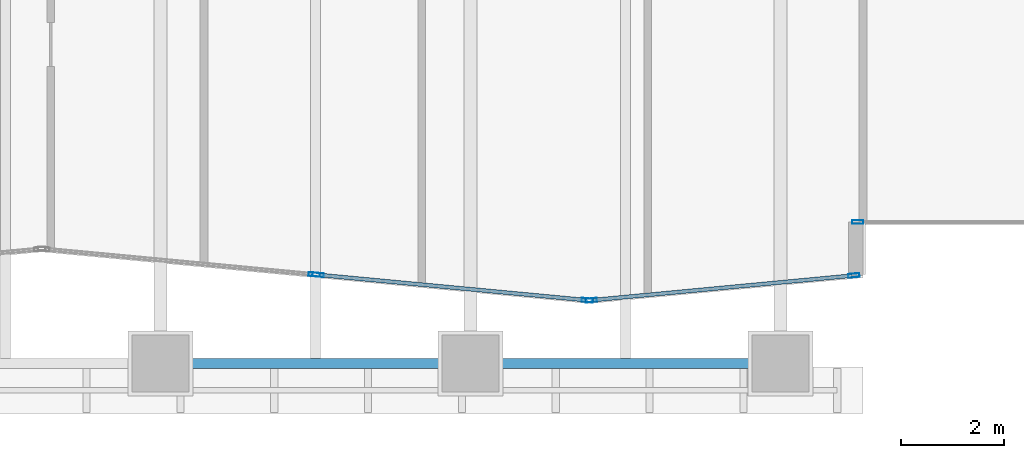
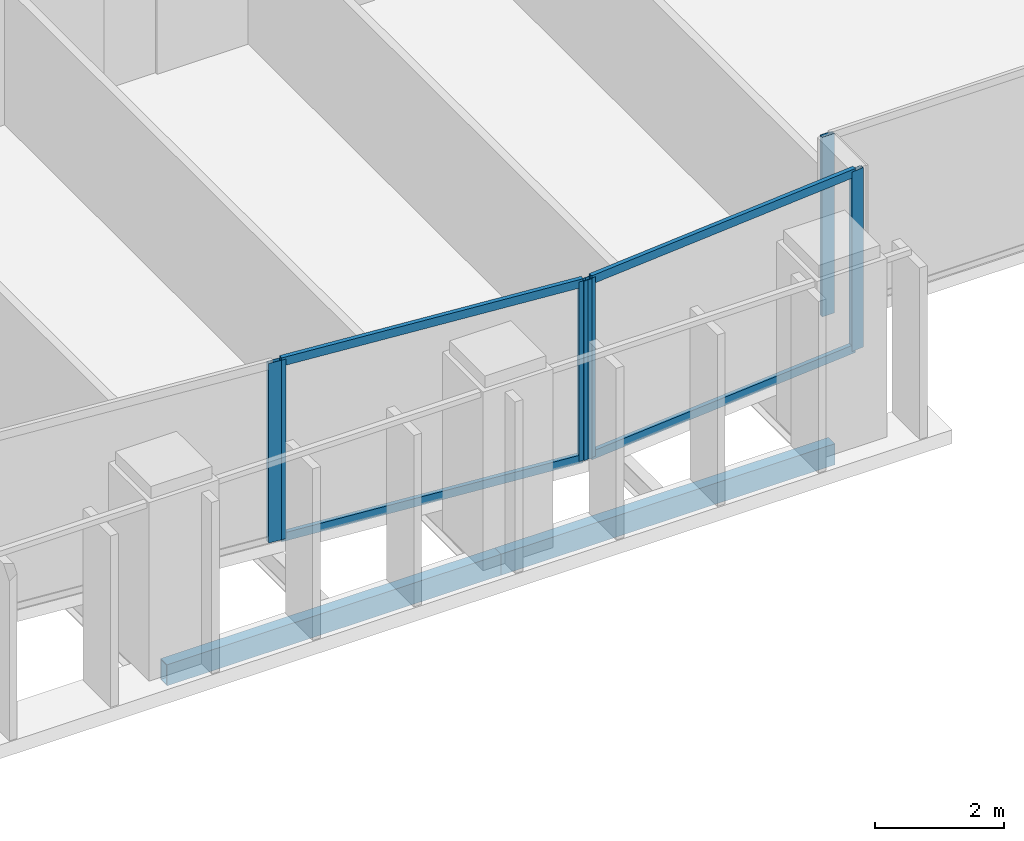
# One storey, part 3 of 32: 10 members, 2 beams, 4 elements without a shape of their own.
"""IFC4 building model written with IfcOpenShell, lengths in metres."""

from ifc_helpers import new_model, si_unit, direction, frame, origin, origin_2d, place, context, subcontext, project, spatial, hollow_rectangle, extrude, material, layer, layer_set, material_profile, profile_set, type_object, element, aggregate, save


model = new_model("IFC4")

# Units and contexts
model_context = context("Model", 3, precision=1e-05, world=origin(), true_north=direction((0.0, 1.0)))
body_context = subcontext(model_context, "Body", "Model", "MODEL_VIEW")
ifc_project = project(units=[si_unit("LENGTHUNIT", "METRE"), si_unit("AREAUNIT", "SQUARE_METRE"), si_unit("VOLUMEUNIT", "CUBIC_METRE"), si_unit("PLANEANGLEUNIT", "RADIAN"), si_unit("MASSUNIT", "GRAM", prefix="KILO")], contexts=[model_context])

# Site, building, storey
site_placement = place(None, origin())
site = spatial("IfcSite", under=ifc_project, at=site_placement, CompositionType="ELEMENT")
building_placement = place(site_placement, origin())
building = spatial("IfcBuilding", under=site, at=building_placement, Name="Tanjung Sevakor Pilgrim Tower", CompositionType="ELEMENT")
storey_placement = place(building_placement, frame((0.0, 0.0, 62.3701171875)))
storey = spatial("IfcBuildingStorey", under=building, at=storey_placement, Name="L17", CompositionType="ELEMENT", Elevation=62.3701171875)

# Beams
ifc_material_1 = material(Name="Steel S355J2", Category="steel")
ifc_material_profile_1 = material_profile(ifc_material_1, hollow_rectangle(XDim=0.199951171875, YDim=0.39990234375, WallThickness=0.01611328125, at=origin_2d()))
ifc_profile_set_1 = profile_set([ifc_material_profile_1], Name="Steel S355J2")
beam_type = type_object("IfcBeamType", Name="BM-B-SP2-RHS_400x200x16", PredefinedType="SPANDREL", material=ifc_profile_set_1)
for number, where, z_axis, x_axis, name in (
    (1, (30.0, 8.39990234375, -0.420166015625), (1.0, 0.0, 0.0), (0.0, 1.0, 0.0), "L17 Spandrel MAIN S-03"),
    (2, (36.0, 8.39990234375, -0.420166015625), (1.0, 0.0, 0.0), (0.0, 1.0, 0.0), "L17 Spandrel MAIN S-05"),
):
    element("IfcBeam", number, at=place(storey_placement, frame(where, z_axis=z_axis, x_axis=x_axis)), inside=storey, type_object=beam_type, Name=name, PredefinedType="SPANDREL", context=body_context, shape_type="SweptSolid", body=[
        extrude(hollow_rectangle(XDim=0.199951171875, YDim=0.39990234375, WallThickness=0.01611328125, at=origin_2d()), origin(), (0.0, 0.0, 1.0), 6.0),
    ])

# Curtain wall, member
ifc_material_2 = material(Name="Aluminium 6063-T6 and Low-E Glass", Category="aluminium")
ifc_layer_1 = layer(ifc_material_2, 0.199951171875)
ifc_layer_set_1 = layer_set([ifc_layer_1], Name="CW-SYS-PRAY")
curtain_wall_type_1 = type_object("IfcCurtainWallType", Name="CW-SYS-PRAY", PredefinedType="NOTDEFINED", material=ifc_layer_set_1)
curtain_wall_1_placement = place(storey_placement, origin())
curtain_wall_1 = element("IfcCurtainWall", 3, at=curtain_wall_1_placement, inside=storey, type_object=curtain_wall_type_1, Name="L17 Curtain Wall CW-PRY-L17-3", PredefinedType="NOTDEFINED")
ifc_material_3 = material(Name="Aluminium 6063-T6", Category="aluminium")
ifc_material_profile_2 = material_profile(ifc_material_3, hollow_rectangle(XDim=0.074951171875, YDim=0.219970703125, WallThickness=0.0048828125, at=origin_2d()))
ifc_profile_set_2 = profile_set([ifc_material_profile_2], Name="Aluminium 6063-T6")
member_type_1 = type_object("IfcMemberType", Name="TYPE-CWM-2", PredefinedType="MULLION", material=ifc_profile_set_2)
member_1_placement = place(storey_placement, frame((32.975830078125, 10.122802734375, 0.0), z_axis=(0.0, 0.0, 1.0), x_axis=(0.09391593637, 0.995580130826, 0.0)))
member_1 = element("IfcMember", 4, at=member_1_placement, type_object=member_type_1, Name="CW-PRY mullion 2", PredefinedType="MULLION", context=body_context, shape_type="SweptSolid", body=[
    extrude(hollow_rectangle(XDim=0.074951171875, YDim=0.219970703125, WallThickness=0.0048828125, at=origin_2d()), origin(), (0.0, 0.0, 1.0), 3.409912109375),
])
aggregate(curtain_wall_1, [member_1])

# Curtain wall, members
curtain_wall_2_placement = place(storey_placement, origin())
curtain_wall_2 = element("IfcCurtainWall", 5, at=curtain_wall_2_placement, inside=storey, type_object=curtain_wall_type_1, Name="L17 Curtain Wall CW-PRY-L17-4", PredefinedType="NOTDEFINED")
member_2_placement = place(storey_placement, frame((33.050537109375, 10.115966796875, 0.0), z_axis=(0.0, 0.0, 1.0), x_axis=(0.093929285798, 0.995578871446, 0.0)))
member_2 = element("IfcMember", 6, at=member_2_placement, type_object=member_type_1, Name="CW-PRY mullion 1", PredefinedType="MULLION", context=body_context, shape_type="SweptSolid", body=[
    extrude(hollow_rectangle(XDim=0.074951171875, YDim=0.219970703125, WallThickness=0.0048828125, at=origin_2d()), origin(), (0.0, 0.0, 1.0), 3.409912109375),
])
member_3_placement = place(storey_placement, frame((38.2626953125, 9.6240234375, 0.0), z_axis=(0.0, 0.0, 1.0), x_axis=(0.093929285798, 0.995578871446, 0.0)))
member_3 = element("IfcMember", 7, at=member_3_placement, type_object=member_type_1, Name="CW-PRY mullion 2", PredefinedType="MULLION", context=body_context, shape_type="SweptSolid", body=[
    extrude(hollow_rectangle(XDim=0.074951171875, YDim=0.219970703125, WallThickness=0.0048828125, at=origin_2d()), origin(), (0.0, 0.0, 1.0), 3.409912109375),
])

curtain_wall_3_placement = place(storey_placement, origin())
curtain_wall_3 = element("IfcCurtainWall", 8, at=curtain_wall_3_placement, inside=storey, type_object=curtain_wall_type_1, Name="L17 Curtain Wall CW-PRY-L17-5", PredefinedType="NOTDEFINED")
member_4_placement = place(storey_placement, frame((38.33740234375, 9.6240234375, 0.0), z_axis=(0.0, 0.0, 1.0), x_axis=(-0.09392403791, 0.995579366551, 0.0)))
member_4 = element("IfcMember", 9, at=member_4_placement, type_object=member_type_1, Name="CW-PRY mullion 1", PredefinedType="MULLION", context=body_context, shape_type="SweptSolid", body=[
    extrude(hollow_rectangle(XDim=0.074951171875, YDim=0.219970703125, WallThickness=0.0048828125, at=origin_2d()), origin(), (0.0, 0.0, 1.0), 3.409912109375),
])
member_5_placement = place(storey_placement, frame((43.422607421875, 10.103759765625, 0.0), z_axis=(0.0, 0.0, 1.0), x_axis=(-0.09392403791, 0.995579366551, 0.0)))
member_5 = element("IfcMember", 10, at=member_5_placement, type_object=member_type_1, Name="CW-PRY mullion 2", PredefinedType="MULLION", context=body_context, shape_type="SweptSolid", body=[
    extrude(hollow_rectangle(XDim=0.074951171875, YDim=0.219970703125, WallThickness=0.0048828125, at=origin_2d()), origin(), (0.0, 0.0, 1.0), 3.409912109375),
])

# Curtain wall, member
ifc_material_4 = material(Name="Aluminium 6063-T6 and Low-E Glass", Category="aluminium")
ifc_layer_2 = layer(ifc_material_4, 0.179931640625)
ifc_layer_set_2 = layer_set([ifc_layer_2], Name="CW-SYS-CLEFT")
curtain_wall_type_2 = type_object("IfcCurtainWallType", Name="CW-SYS-CLEFT", PredefinedType="NOTDEFINED", material=ifc_layer_set_2)
curtain_wall_4_placement = place(storey_placement, origin())
curtain_wall_4 = element("IfcCurtainWall", 11, at=curtain_wall_4_placement, inside=storey, type_object=curtain_wall_type_2, Name="L17 Curtain Wall CW-CLF-L17-7", PredefinedType="NOTDEFINED")
member_6_placement = place(storey_placement, frame((43.49755859375, 11.139892578125, 0.0), z_axis=(0.0, 0.0, 1.0), x_axis=(0.0, 1.0, 0.0)))
member_6 = element("IfcMember", 12, at=member_6_placement, type_object=member_type_1, Name="CW-CLF mullion 1", PredefinedType="MULLION", context=body_context, shape_type="SweptSolid", body=[
    extrude(hollow_rectangle(XDim=0.074951171875, YDim=0.219970703125, WallThickness=0.0048828125, at=origin_2d()), origin(), (0.0, 0.0, 1.0), 3.409912109375),
])
aggregate(curtain_wall_4, [member_6])

# Member
ifc_material_5 = material(Name="Aluminium 6063-T6", Category="aluminium")
ifc_material_profile_3 = material_profile(ifc_material_5, hollow_rectangle(XDim=0.074951171875, YDim=0.159912109375, WallThickness=0.00439453125, at=origin_2d()))
ifc_profile_set_3 = profile_set([ifc_material_profile_3], Name="Aluminium 6063-T6")
member_type_2 = type_object("IfcMemberType", Name="TYPE-CWT-2", PredefinedType="USERDEFINED", material=ifc_profile_set_3)
member_7_placement = place(storey_placement, frame((33.087646484375, 10.1123046875, 0.037353515625), z_axis=(0.995580754641, -0.093909323226, 0.0), x_axis=(0.093909323226, 0.995580754641, 0.0)))
member_7 = element("IfcMember", 13, at=member_7_placement, type_object=member_type_2, Name="CW-PRY transom 1.1", ObjectType="TRANSOM", PredefinedType="USERDEFINED", context=body_context, shape_type="SweptSolid", body=[
    extrude(hollow_rectangle(XDim=0.074951171875, YDim=0.159912109375, WallThickness=0.00439453125, at=origin_2d()), origin(), (0.0, 0.0, 1.0), 5.160400390625),
])

member_8_placement = place(storey_placement, frame((33.087646484375, 10.1123046875, 3.372314453125), z_axis=(0.995580754641, -0.093909323226, 0.0), x_axis=(0.093909323226, 0.995580754641, 0.0)))
member_8 = element("IfcMember", 14, at=member_8_placement, type_object=member_type_2, Name="CW-PRY transom 1.2", ObjectType="TRANSOM", PredefinedType="USERDEFINED", context=body_context, shape_type="SweptSolid", body=[
    extrude(hollow_rectangle(XDim=0.074951171875, YDim=0.159912109375, WallThickness=0.00439453125, at=origin_2d()), origin(), (0.0, 0.0, 1.0), 5.160400390625),
])

aggregate(curtain_wall_2, [member_2, member_3, member_7, member_8])

member_9_placement = place(storey_placement, frame((38.374755859375, 9.627685546875, 0.037353515625), z_axis=(0.9955801018, 0.093916244072, 0.0), x_axis=(-0.093916244072, 0.9955801018, 0.0)))
member_9 = element("IfcMember", 15, at=member_9_placement, type_object=member_type_2, Name="CW-PRY transom 1.1", ObjectType="TRANSOM", PredefinedType="USERDEFINED", context=body_context, shape_type="SweptSolid", body=[
    extrude(hollow_rectangle(XDim=0.074951171875, YDim=0.159912109375, WallThickness=0.00439453125, at=origin_2d()), origin(), (0.0, 0.0, 1.0), 5.03271484375),
])

member_10_placement = place(storey_placement, frame((38.374755859375, 9.627685546875, 3.372314453125), z_axis=(0.9955801018, 0.093916244072, 0.0), x_axis=(-0.093916244072, 0.9955801018, 0.0)))
member_10 = element("IfcMember", 16, at=member_10_placement, type_object=member_type_2, Name="CW-PRY transom 1.2", ObjectType="TRANSOM", PredefinedType="USERDEFINED", context=body_context, shape_type="SweptSolid", body=[
    extrude(hollow_rectangle(XDim=0.074951171875, YDim=0.159912109375, WallThickness=0.00439453125, at=origin_2d()), origin(), (0.0, 0.0, 1.0), 5.03271484375),
])

aggregate(curtain_wall_3, [member_4, member_5, member_9, member_10])

save(model, "model.ifc")
